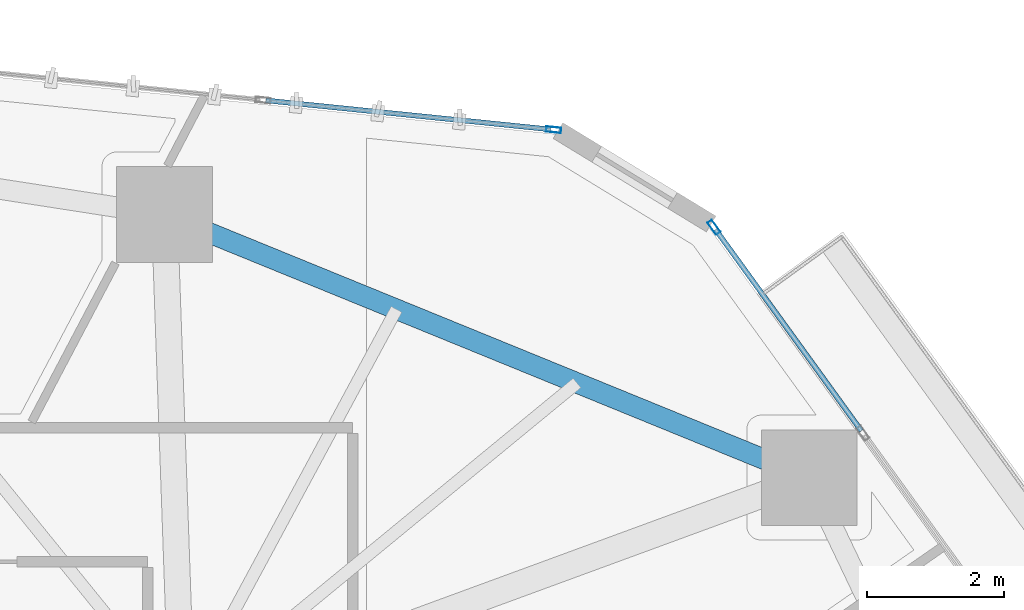
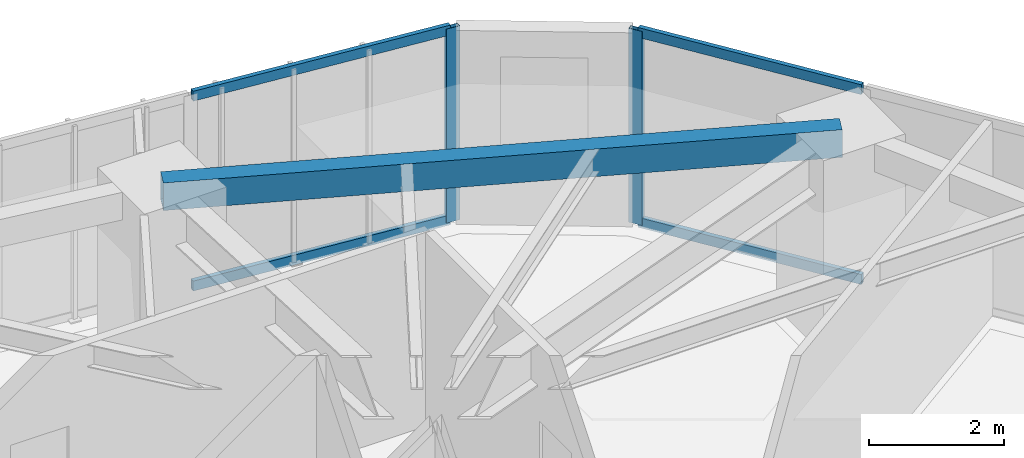
# One storey, part 17 of 24: 6 members, 1 beam, 2 elements without a shape of their own.
"""IFC4 building model written with IfcOpenShell, lengths in metres."""

from ifc_helpers import new_model, si_unit, direction, frame, origin, origin_2d, place, context, subcontext, project, spatial, hollow_rectangle, extrude, source, transform, mapped, material, layer, layer_set, material_profile, profile_set, type_object, type_shapes, element, aggregate, save


model = new_model("IFC4")

# Units and contexts
model_context = context("Model", 3, precision=1e-05, world=origin(), true_north=direction((0.0, 1.0)))
body_context = subcontext(model_context, "Body", "Model", "MODEL_VIEW")
ifc_project = project(units=[si_unit("LENGTHUNIT", "METRE"), si_unit("AREAUNIT", "SQUARE_METRE"), si_unit("VOLUMEUNIT", "CUBIC_METRE"), si_unit("PLANEANGLEUNIT", "RADIAN"), si_unit("MASSUNIT", "GRAM", prefix="KILO")], contexts=[model_context])

# Site, building, storey
site_placement = place(None, origin())
site = spatial("IfcSite", under=ifc_project, at=site_placement, CompositionType="ELEMENT")
building_placement = place(site_placement, origin())
building = spatial("IfcBuilding", under=site, at=building_placement, Name="Talar Marvaseh", CompositionType="ELEMENT")
storey_placement = place(building_placement, frame((0.0, 0.0, 73.39990234375)))
storey = spatial("IfcBuildingStorey", under=building, at=storey_placement, Name="L18", CompositionType="ELEMENT", Elevation=73.39990234375)

# Beam
ifc_material_1 = material(Name="Steel S355", Category="steel")
ifc_material_profile_1 = material_profile(ifc_material_1, hollow_rectangle(XDim=0.300048828125, YDim=0.5, WallThickness=0.02001953125, at=origin_2d()), Name="RHS500x300x20")
ifc_profile_set_1 = profile_set([ifc_material_profile_1], Name="Steel S355")
beam_type = type_object("IfcBeamType", Name="Zone 1 Perimeter Spandrel Beam RHS500x300x20", PredefinedType="SPANDREL", material=ifc_profile_set_1)
beam_placement = place(storey_placement, frame((33.0458984375, 44.117919921875, 3.27001953125), z_axis=(0.92586732306, -0.377848779395, 0.0), x_axis=(0.377848779395, 0.92586732306, 0.0)))
element("IfcBeam", 1, at=beam_placement, inside=storey, type_object=beam_type, Name="L18 Zone 1 Perimeter Spandrel Beam RHS500x300x20", PredefinedType="SPANDREL", context=body_context, shape_type="SweptSolid", body=[
    extrude(hollow_rectangle(XDim=0.300048828125, YDim=0.5, WallThickness=0.02001953125, at=origin_2d()), origin(), (0.0, 0.0, 1.0), 10.186279296875),
])

# Curtain wall, member
ifc_material_2 = material(Name="Architectural Aluminium", Category="aluminium")
ifc_layer = layer(ifc_material_2, 0.219970703125)
ifc_layer_set = layer_set([ifc_layer], Name="Architectural Aluminium")
curtain_wall_type = type_object("IfcCurtainWallType", Name="Unitised Low-E Museum Curtain Wall Z1", PredefinedType="NOTDEFINED", material=ifc_layer_set)
curtain_wall_1_placement = place(storey_placement, origin())
curtain_wall_1 = element("IfcCurtainWall", 2, at=curtain_wall_1_placement, inside=storey, type_object=curtain_wall_type, Name="L18 Unitised Low-E Museum Curtain Wall Z1", PredefinedType="NOTDEFINED")
ifc_material_profile_2 = material_profile(ifc_material_2, hollow_rectangle(XDim=0.080078125, YDim=0.219970703125, WallThickness=0.0048828125, at=origin_2d()), Name="RHS220x80x5")
ifc_profile_set_2 = profile_set([ifc_material_profile_2], Name="Architectural Aluminium")
member_type_1 = type_object("IfcMemberType", Name="Unitised Curtain Wall Heavy Mullion RHS220x80x5", PredefinedType="MULLION", material=ifc_profile_set_2)
shared_shape_1 = source(origin(), body_context, "Body", "SweptSolid", [
    extrude(hollow_rectangle(XDim=0.080078125, YDim=0.219970703125, WallThickness=0.0048828125, at=origin_2d()), origin(), (0.0, 0.0, 1.0), 3.52001953125),
])
type_shapes(member_type_1, [shared_shape_1])
member_1_placement = place(storey_placement, frame((38.739013671875, 45.35888671875, 0.0), z_axis=(0.0, 0.0, 1.0), x_axis=(0.101365196802, 0.994849283498, 0.0)))
member_1 = element("IfcMember", 3, at=member_1_placement, type_object=member_type_1, Name="CW-Z1 mullion 5", PredefinedType="MULLION", context=body_context, shape_type="MappedRepresentation", body=[
    mapped(shared_shape_1, transform((0.0, 0.0, 0.0), x_axis=(1.0, 0.0, 0.0), y_axis=(0.0, 1.0, 0.0), z_axis=(0.0, 0.0, 1.0), scale=1.0)),
])

curtain_wall_2_placement = place(storey_placement, origin())
curtain_wall_2 = element("IfcCurtainWall", 4, at=curtain_wall_2_placement, inside=storey, type_object=curtain_wall_type, Name="L18 Unitised Low-E Museum Curtain Wall Z1", PredefinedType="NOTDEFINED")
member_2_placement = place(storey_placement, frame((41.08447265625, 43.931884765625, 0.0), z_axis=(0.0, 0.0, 1.0), x_axis=(0.810006646124, 0.586420696458, 0.0)))
member_2 = element("IfcMember", 5, at=member_2_placement, type_object=member_type_1, Name="CW-Z1 mullion 1", PredefinedType="MULLION", context=body_context, shape_type="MappedRepresentation", body=[
    mapped(shared_shape_1, transform((0.0, 0.0, 0.0), x_axis=(1.0, 0.0, 0.0), y_axis=(0.0, 1.0, 0.0), z_axis=(0.0, 0.0, 1.0), scale=1.0)),
])

# Member
ifc_material_profile_3 = material_profile(ifc_material_2, hollow_rectangle(XDim=0.074951171875, YDim=0.179931640625, WallThickness=0.0048828125, at=origin_2d()), Name="RHS180x75x5")
ifc_profile_set_3 = profile_set([ifc_material_profile_3], Name="Architectural Aluminium")
member_type_2 = type_object("IfcMemberType", Name="Unitised Curtain Wall Transom RHS180x75x5", PredefinedType="USERDEFINED", material=ifc_profile_set_3)
shared_shape_2 = source(origin(), body_context, "Body", "SweptSolid", [
    extrude(hollow_rectangle(XDim=0.074951171875, YDim=0.179931640625, WallThickness=0.0048828125, at=origin_2d()), origin(), (0.0, 0.0, 1.0), 4.19189453125),
])
member_3_placement = place(storey_placement, frame((34.52880859375, 45.787841796875, 0.03759765625), z_axis=(0.994846258653, -0.101394879775, 0.0), x_axis=(0.101394879775, 0.994846258653, 0.0)))
member_3 = element("IfcMember", 6, at=member_3_placement, type_object=member_type_2, Name="CW-Z1 transom 4.1", ObjectType="TRANSOM", PredefinedType="USERDEFINED", context=body_context, shape_type="MappedRepresentation", body=[
    mapped(shared_shape_2, transform((0.0, 0.0, 0.0), x_axis=(1.0, 0.0, 0.0), y_axis=(0.0, 1.0, 0.0), z_axis=(0.0, 0.0, 1.0), scale=1.0)),
])

member_4_placement = place(storey_placement, frame((34.52880859375, 45.787841796875, 3.482666015625), z_axis=(0.994846258653, -0.101394879775, 0.0), x_axis=(0.101394879775, 0.994846258653, 0.0)))
member_4 = element("IfcMember", 7, at=member_4_placement, type_object=member_type_2, Name="CW-Z1 transom 4.2", ObjectType="TRANSOM", PredefinedType="USERDEFINED", context=body_context, shape_type="MappedRepresentation", body=[
    mapped(shared_shape_2, transform((0.0, 0.0, 0.0), x_axis=(1.0, 0.0, 0.0), y_axis=(0.0, 1.0, 0.0), z_axis=(0.0, 0.0, 1.0), scale=1.0)),
])

aggregate(curtain_wall_1, [member_1, member_3, member_4])

shared_shape_3 = source(origin(), body_context, "Body", "SweptSolid", [
    extrude(hollow_rectangle(XDim=0.074951171875, YDim=0.179931640625, WallThickness=0.0048828125, at=origin_2d()), origin(), (0.0, 0.0, 1.0), 3.636962890625),
])
type_shapes(member_type_2, [shared_shape_2, shared_shape_3])
member_5_placement = place(storey_placement, frame((41.10791015625, 43.899658203125, 0.03759765625), z_axis=(0.586414145427, -0.810011388835, 0.0), x_axis=(0.810011388835, 0.586414145427, 0.0)))
member_5 = element("IfcMember", 8, at=member_5_placement, type_object=member_type_2, Name="CW-Z1 transom 1.1", ObjectType="TRANSOM", PredefinedType="USERDEFINED", context=body_context, shape_type="MappedRepresentation", body=[
    mapped(shared_shape_3, transform((0.0, 0.0, 0.0), x_axis=(1.0, 0.0, 0.0), y_axis=(0.0, 1.0, 0.0), z_axis=(0.0, 0.0, 1.0), scale=1.0)),
])

member_6_placement = place(storey_placement, frame((41.10791015625, 43.899658203125, 3.482666015625), z_axis=(0.586414145427, -0.810011388835, 0.0), x_axis=(0.810011388835, 0.586414145427, 0.0)))
member_6 = element("IfcMember", 9, at=member_6_placement, type_object=member_type_2, Name="CW-Z1 transom 1.2", ObjectType="TRANSOM", PredefinedType="USERDEFINED", context=body_context, shape_type="MappedRepresentation", body=[
    mapped(shared_shape_3, transform((0.0, 0.0, 0.0), x_axis=(1.0, 0.0, 0.0), y_axis=(0.0, 1.0, 0.0), z_axis=(0.0, 0.0, 1.0), scale=1.0)),
])

aggregate(curtain_wall_2, [member_2, member_5, member_6])

save(model, "model.ifc")
